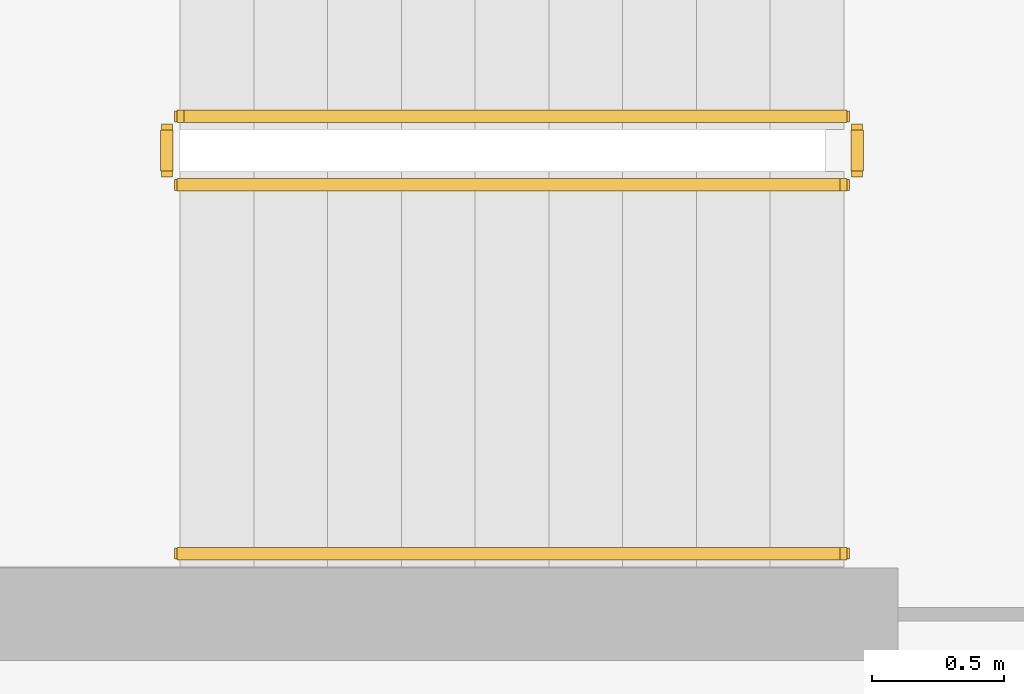
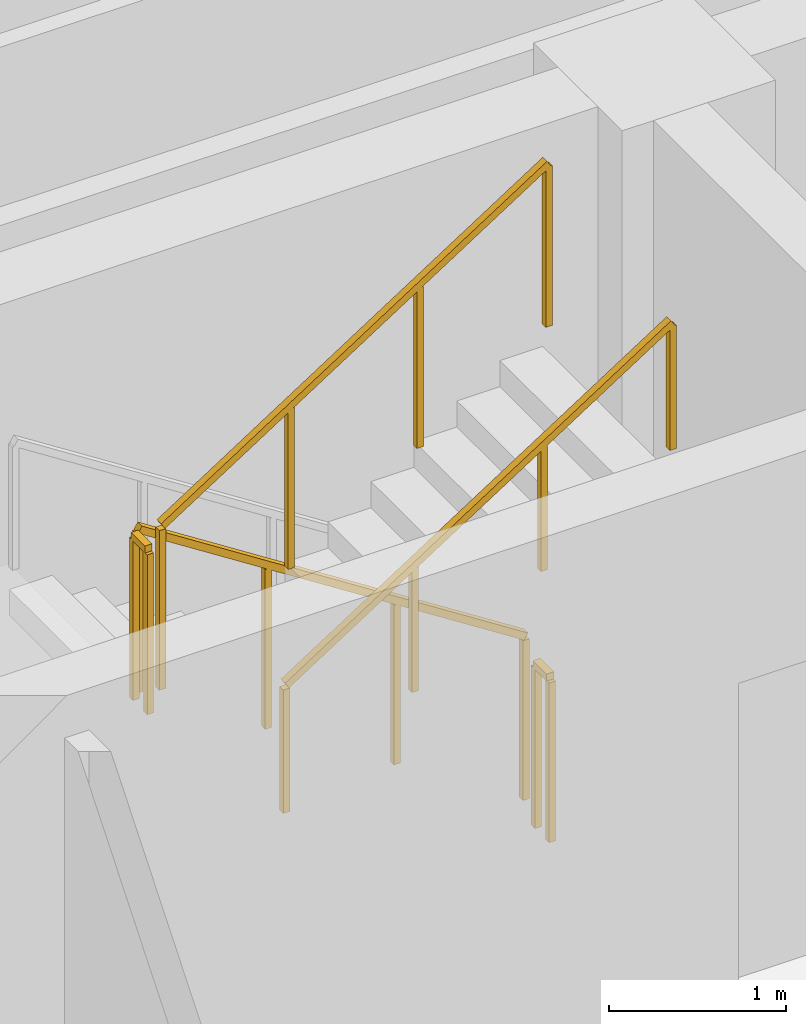
# One storey, part 12 of 14: 5 railings.
"""IFC4 building model written with IfcOpenShell, lengths in metres."""

from ifc_helpers import new_model, si_unit, direction, frame, origin, origin_2d, place, context, subcontext, project, spatial, rectangle, extrude, material, type_object, element, save


model = new_model("IFC4")

# Units and contexts
model_context = context("Model", 3, precision=1e-05, world=origin(), true_north=direction((0.0, 1.0)))
body_context = subcontext(model_context, "Body", "Model", "MODEL_VIEW")
ifc_project = project(units=[si_unit("LENGTHUNIT", "METRE"), si_unit("AREAUNIT", "SQUARE_METRE"), si_unit("VOLUMEUNIT", "CUBIC_METRE"), si_unit("PLANEANGLEUNIT", "RADIAN"), si_unit("MASSUNIT", "GRAM", prefix="KILO")], contexts=[model_context])

# Site, building, storey
site_placement = place(None, origin())
site = spatial("IfcSite", under=ifc_project, at=site_placement, CompositionType="ELEMENT")
building_placement = place(site_placement, origin())
building = spatial("IfcBuilding", under=site, at=building_placement, Name="Zarnavel Station Tower", CompositionType="ELEMENT")
storey_placement = place(building_placement, frame((0.0, 0.0, 218.39990234375)))
storey = spatial("IfcBuildingStorey", under=building, at=storey_placement, Name="L59", CompositionType="ELEMENT", Elevation=218.39990234375)

# Railings
ifc_material_1 = material(Name="Painted Steel S355J2 Balustrade", Category="steel")
railing_type_1 = type_object("IfcRailingType", Name="GR_INT_1150", PredefinedType="GUARDRAIL", material=ifc_material_1)
railing_1_placement = place(storey_placement, frame((19.47998046875, 35.3701171875, 0.18017578125)))
element("IfcRailing", 1, at=railing_1_placement, inside=storey, type_object=railing_type_1, Name="L59 ST1 stair guard 1", PredefinedType="GUARDRAIL", context=body_context, shape_type="SweptSolid", body=[
    extrude(rectangle(XDim=0.048095703125, YDim=0.048095703125, at=origin_2d()), frame((-0.001708984375, 0.0, 1.126953125), z_axis=(-0.841199657755, 0.0, 0.540724639528), x_axis=(0.0, -1.0, 0.0)), (0.0, 0.0, 1.0), 2.99169921875),
    extrude(rectangle(XDim=0.0419921875, YDim=0.0419921875, at=origin_2d()), origin(), (0.0, 0.0, 1.0), 1.101806640625),
    extrude(rectangle(XDim=0.0419921875, YDim=0.0419921875, at=origin_2d()), frame((-0.840087890625, 0.0, 0.5400390625)), (0.0, 0.0, 1.0), 1.101806640625),
    extrude(rectangle(XDim=0.0419921875, YDim=0.0419921875, at=origin_2d()), frame((-1.679931640625, 0.0, 1.079833984375)), (0.0, 0.0, 1.0), 1.101806640625),
    extrude(rectangle(XDim=0.0419921875, YDim=0.0419921875, at=origin_2d()), frame((-2.52001953125, 0.0, 1.619873046875)), (0.0, 0.0, 1.0), 1.101806640625),
])
railing_2_placement = place(storey_placement, frame((16.909912109375, 35.320068359375, 1.800048828125)))
element("IfcRailing", 2, at=railing_2_placement, inside=storey, type_object=railing_type_1, Name="L59 ST1 stair guard 2", PredefinedType="GUARDRAIL", context=body_context, shape_type="SweptSolid", body=[
    extrude(rectangle(XDim=0.048095703125, YDim=0.048095703125, at=origin_2d()), frame((0.0, -0.001953125, 1.1259765625), z_axis=(0.0, -1.0, 0.0), x_axis=(1.0, 0.0, 0.0)), (0.0, 0.0, 1.0), 0.15625),
    extrude(rectangle(XDim=0.0419921875, YDim=0.0419921875, at=origin_2d()), origin(), (0.0, 0.0, 1.0), 1.101806640625),
    extrude(rectangle(XDim=0.0419921875, YDim=0.0419921875, at=origin_2d()), frame((0.0, -0.16015625, 0.0)), (0.0, 0.0, 1.0), 1.101806640625),
])
railing_3_placement = place(storey_placement, frame((16.9599609375, 35.110107421875, 1.97998046875)))
element("IfcRailing", 3, at=railing_3_placement, inside=storey, type_object=railing_type_1, Name="L59 ST1 stair guard 3", PredefinedType="GUARDRAIL", context=body_context, shape_type="SweptSolid", body=[
    extrude(rectangle(XDim=0.048095703125, YDim=0.048095703125, at=origin_2d()), frame((0.001708984375, 0.0, 1.126953125), z_axis=(0.841162588446, 0.0, 0.540782303519), x_axis=(0.0, 1.0, 0.0)), (0.0, 0.0, 1.0), 2.991943359375),
    extrude(rectangle(XDim=0.0419921875, YDim=0.0419921875, at=origin_2d()), origin(), (0.0, 0.0, 1.0), 1.101806640625),
    extrude(rectangle(XDim=0.0419921875, YDim=0.0419921875, at=origin_2d()), frame((0.840087890625, 0.0, 0.5400390625)), (0.0, 0.0, 1.0), 1.101806640625),
    extrude(rectangle(XDim=0.0419921875, YDim=0.0419921875, at=origin_2d()), frame((1.679931640625, 0.0, 1.080078125)), (0.0, 0.0, 1.0), 1.101806640625),
    extrude(rectangle(XDim=0.0419921875, YDim=0.0419921875, at=origin_2d()), frame((2.52001953125, 0.0, 1.6201171875)), (0.0, 0.0, 1.0), 1.101806640625),
])
railing_4_placement = place(storey_placement, frame((19.530029296875, 35.320068359375, 0.0)))
element("IfcRailing", 4, at=railing_4_placement, inside=storey, type_object=railing_type_1, Name="L59 ST1 stair guard 4", PredefinedType="GUARDRAIL", context=body_context, shape_type="SweptSolid", body=[
    extrude(rectangle(XDim=0.048095703125, YDim=0.048095703125, at=origin_2d()), frame((0.0, -0.001953125, 1.1259765625), z_axis=(0.0, -1.0, 0.0), x_axis=(1.0, 0.0, 0.0)), (0.0, 0.0, 1.0), 0.15625),
    extrude(rectangle(XDim=0.0419921875, YDim=0.0419921875, at=origin_2d()), origin(), (0.0, 0.0, 1.0), 1.101806640625),
    extrude(rectangle(XDim=0.0419921875, YDim=0.0419921875, at=origin_2d()), frame((0.0, -0.16015625, 0.0)), (0.0, 0.0, 1.0), 1.101806640625),
])
ifc_material_2 = material(Name="Brushed Stainless Steel S355J2 Handrail", Category="steel")
railing_type_2 = type_object("IfcRailingType", Name="HR_STAIR_900", PredefinedType="HANDRAIL", material=ifc_material_2)
railing_5_placement = place(storey_placement, frame((16.9599609375, 33.7099609375, 1.97998046875)))
element("IfcRailing", 5, at=railing_5_placement, inside=storey, type_object=railing_type_2, Name="L59 ST1 stair handrail 2", PredefinedType="HANDRAIL", context=body_context, shape_type="SweptSolid", body=[
    extrude(rectangle(XDim=0.048095703125, YDim=0.048095703125, at=origin_2d()), frame((0.001708984375, 0.0, 0.876953125), z_axis=(0.841162588446, 0.0, 0.540782303519), x_axis=(0.0, 1.0, 0.0)), (0.0, 0.0, 1.0), 2.991943359375),
    extrude(rectangle(XDim=0.0419921875, YDim=0.0419921875, at=origin_2d()), origin(), (0.0, 0.0, 1.0), 0.851806640625),
    extrude(rectangle(XDim=0.0419921875, YDim=0.0419921875, at=origin_2d()), frame((0.840087890625, 0.0, 0.5400390625)), (0.0, 0.0, 1.0), 0.851806640625),
    extrude(rectangle(XDim=0.0419921875, YDim=0.0419921875, at=origin_2d()), frame((1.679931640625, 0.0, 1.080078125)), (0.0, 0.0, 1.0), 0.851806640625),
    extrude(rectangle(XDim=0.0419921875, YDim=0.0419921875, at=origin_2d()), frame((2.52001953125, 0.0, 1.6201171875)), (0.0, 0.0, 1.0), 0.851806640625),
])

save(model, "model.ifc")
